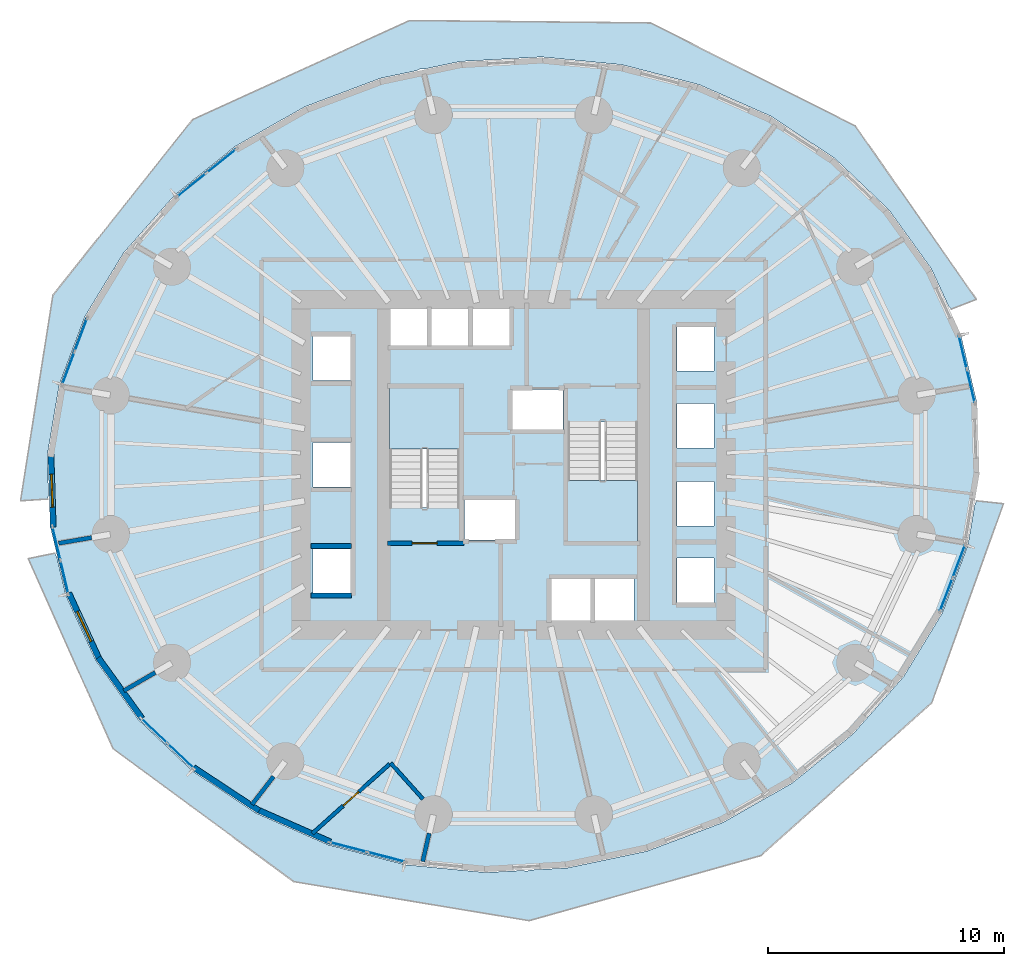
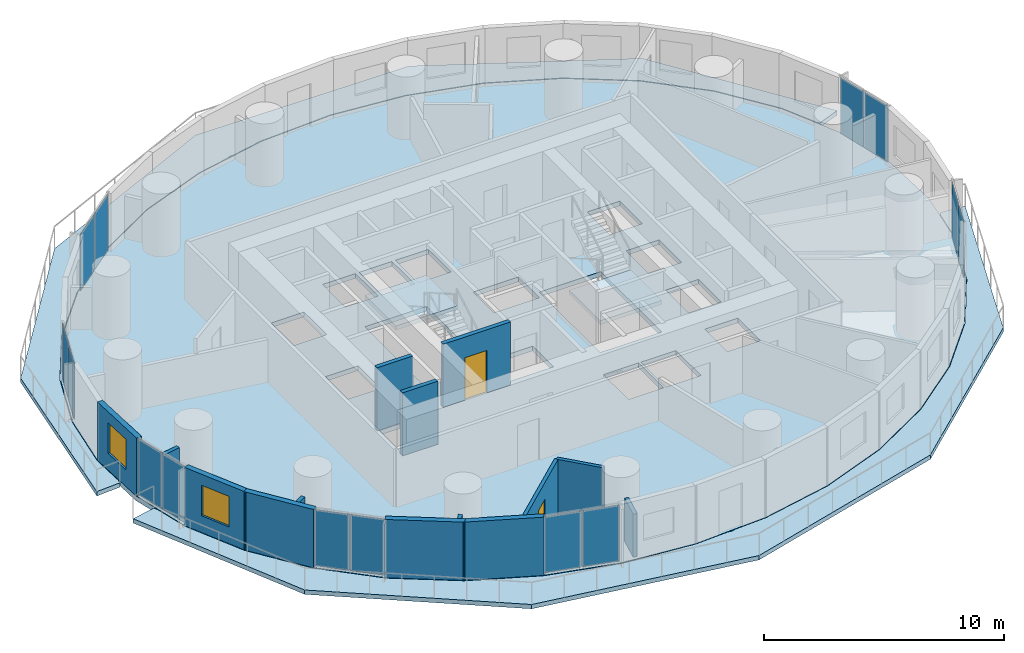
# One storey, part 6 of 14: 14 plates, 14 walls, 5 slabs, 2 doors, 2 windows, 4 openings, 9 elements without a shape of their own.
"""IFC4 building model written with IfcOpenShell, lengths in metres."""

from ifc_helpers import new_model, si_unit, direction, frame, frame_2d, origin, origin_2d, place, context, subcontext, project, spatial, polyline, rectangle, outline, extrude, material, layer, layer_set, type_object, element, fill, aggregate, save


model = new_model("IFC4")

# Units and contexts
model_context = context("Model", 3, precision=1e-05, world=origin(), true_north=direction((0.0, 1.0)))
body_context = subcontext(model_context, "Body", "Model", "MODEL_VIEW")
ifc_project = project(units=[si_unit("LENGTHUNIT", "METRE"), si_unit("AREAUNIT", "SQUARE_METRE"), si_unit("VOLUMEUNIT", "CUBIC_METRE"), si_unit("PLANEANGLEUNIT", "RADIAN"), si_unit("MASSUNIT", "GRAM", prefix="KILO")], contexts=[model_context])

# Site, building, storey
site_placement = place(None, origin())
site = spatial("IfcSite", under=ifc_project, at=site_placement, CompositionType="ELEMENT")
building_placement = place(site_placement, origin())
building = spatial("IfcBuilding", under=site, at=building_placement, Name="Veldorim Arch Residences", CompositionType="ELEMENT")
storey_placement = place(building_placement, frame((0.0, 0.0, 37.60009765625)))
storey = spatial("IfcBuildingStorey", under=building, at=storey_placement, Name="L10", CompositionType="ELEMENT", Elevation=37.60009765625)

# Slabs
ifc_material_1 = material(Name="Concrete C40/50", Category="concrete")
ifc_layer_1 = layer(ifc_material_1, 0.219970703125, Name="Planted Crescent Cantilever Balcony Slab 220")
ifc_layer_set_1 = layer_set([ifc_layer_1], Name="Concrete C40/50")
slab_type_1 = type_object("IfcSlabType", Name="Planted Crescent Cantilever Balcony Slab 220", PredefinedType="FLOOR", material=ifc_layer_set_1)
slab_1_placement = place(storey_placement, frame((0.0, 0.0, -0.22021484375)))
element("IfcSlab", 1, at=slab_1_placement, inside=storey, type_object=slab_type_1, Name="L10 planted crescent balcony slab A", PredefinedType="FLOOR", context=body_context, shape_type="SweptSolid", body=[
    extrude(outline(polyline([(50.406494140625, 30.739013671875), (49.69189453125, 32.292236328125), (47.8857421875, 34.797607421875), (45.596923828125, 36.97509765625), (42.89501953125, 38.7578125), (39.8623046875, 40.09228515625), (36.591064453125, 40.93798828125), (33.180419921875, 41.268798828125), (29.73388671875, 41.075439453125), (28.247802734375, 40.761962890625), (28.050048828125, 40.76171875), (27.86962890625, 40.682373046875), (26.356201171875, 40.36328125), (23.149658203125, 39.154052734375), (20.212158203125, 37.484375), (17.632568359375, 35.405029296875), (15.489501953125, 32.979248046875), (13.84765625, 30.2802734375), (12.7578125, 27.390380859375), (12.252197265625, 24.397216796875), (12.3046875, 22.734619140625), (12.264404296875, 22.548095703125), (11.11669921875, 22.47412109375), (12.486083984375, 31.179931640625), (18.40283203125, 38.614990234375), (27.594970703125, 42.811767578125), (37.791748046875, 42.710205078125), (46.4658203125, 38.35107421875), (51.596435546875, 31.006591796875), (50.525390625, 30.588134765625), (50.406494140625, 30.739013671875)])), origin(), (0.0, 0.0, 1.0), 0.22021484375),
])
slab_2_placement = place(storey_placement, frame((0.0, 0.0, -0.22021484375)))
element("IfcSlab", 2, at=slab_2_placement, inside=storey, type_object=slab_type_1, Name="L10 planted crescent balcony slab B", PredefinedType="FLOOR", context=body_context, shape_type="SweptSolid", body=[
    extrude(outline(polyline([(12.656494140625, 20.08447265625), (13.03955078125, 18.465576171875), (14.30810546875, 15.707763671875), (16.1142578125, 13.202392578125), (18.403076171875, 11.02490234375), (21.10498046875, 9.2421875), (24.1376953125, 7.90771484375), (27.408935546875, 7.06201171875), (30.819580078125, 6.731201171875), (32.364013671875, 6.81787109375), (32.55908203125, 6.7880859375), (32.750244140625, 6.839599609375), (34.26611328125, 6.924560546875), (37.643798828125, 7.63671875), (40.850341796875, 8.845947265625), (43.787841796875, 10.515625), (46.367431640625, 12.594970703125), (48.510498046875, 15.020751953125), (50.15234375, 17.7197265625), (51.2421875, 20.609619140625), (51.527099609375, 22.295654296875), (51.602294921875, 22.471923828125), (52.74560546875, 22.34765625), (49.70849609375, 13.9189453125), (42.4716796875, 7.4482421875), (32.654541015625, 4.6904296875), (22.685791015625, 6.34423828125), (15.03466796875, 11.978759765625), (11.441650390625, 20.02587890625), (12.56884765625, 20.253662109375), (12.656494140625, 20.08447265625)])), origin(), (0.0, 0.0, 1.0), 0.22021484375),
])

# Stair, slab
ifc_material_2 = material(Name="Concrete C40/50", Category="concrete")
stair_type = type_object("IfcStairType", Name="Reinforced Concrete Dogleg Exit Staircase", PredefinedType="HALF_TURN_STAIR", material=ifc_material_2)
stair_1_placement = place(storey_placement, origin())
stair_1 = element("IfcStair", 3, at=stair_1_placement, inside=storey, type_object=stair_type, Name="L10 Exit Staircase ST-1", PredefinedType="HALF_TURN_STAIR")
ifc_material_3 = material(Name="Concrete C40/50", Category="concrete")
ifc_layer_2 = layer(ifc_material_3, 0.199951171875, Name="Reinforced Concrete Stair Landing 200")
ifc_layer_set_2 = layer_set([ifc_layer_2], Name="Concrete C40/50")
slab_type_2 = type_object("IfcSlabType", Name="Reinforced Concrete Stair Landing 200", PredefinedType="LANDING", material=ifc_layer_set_2)
slab_3_placement = place(storey_placement, frame((0.0, 0.0, 1.39990234375)))
slab_3 = element("IfcSlab", 4, at=slab_3_placement, type_object=slab_type_2, Name="ST-1 landing 1", PredefinedType="LANDING", context=body_context, shape_type="SweptSolid", body=[
    extrude(outline(polyline([(29.7099609375, 24.669921875), (29.7099609375, 27.25), (26.75, 27.25), (26.75, 24.669921875), (29.7099609375, 24.669921875)])), origin(), (0.0, 0.0, 1.0), 0.199951171875),
])
aggregate(stair_1, [slab_3])

stair_2_placement = place(storey_placement, origin())
stair_2 = element("IfcStair", 5, at=stair_2_placement, inside=storey, type_object=stair_type, Name="L10 Exit Staircase ST-2", PredefinedType="HALF_TURN_STAIR")
slab_4_placement = place(storey_placement, frame((0.0, 0.0, 1.39990234375)))
slab_4 = element("IfcSlab", 6, at=slab_4_placement, type_object=slab_type_2, Name="ST-2 landing 1", PredefinedType="LANDING", context=body_context, shape_type="SweptSolid", body=[
    extrude(outline(polyline([(34.2900390625, 23.330078125), (34.2900390625, 20.75), (37.25, 20.75), (37.25, 23.330078125), (34.2900390625, 23.330078125)])), origin(), (0.0, 0.0, 1.0), 0.199951171875),
])
aggregate(stair_2, [slab_4])

# Slab
ifc_material_4 = material(Name="Concrete C40/50", Category="concrete")
ifc_layer_3 = layer(ifc_material_4, 0.239990234375, Name="Typical Residential Floor Slab 240")
ifc_layer_set_3 = layer_set([ifc_layer_3], Name="Concrete C40/50")
slab_type_3 = type_object("IfcSlabType", Name="Typical Residential Floor Slab 240", PredefinedType="FLOOR", material=ifc_layer_set_3)
slab_5_placement = place(storey_placement, frame((0.0, 0.0, -0.239990234375)))
element("IfcSlab", 7, at=slab_5_placement, inside=storey, type_object=slab_type_3, Name="L10 tower structural floor slab", PredefinedType="FLOOR", context=body_context, shape_type="SweptSolid", body=[
    extrude(outline(polyline([(51.6279296875, 26.60498046875), (50.936767578125, 29.526123046875), (49.670166015625, 32.279541015625), (47.86669921875, 34.78125), (45.581298828125, 36.955322265625), (42.883056640625, 38.73583984375), (39.854248046875, 40.068603515625), (36.586669921875, 40.9130859375), (33.1796875, 41.243896484375), (29.737060546875, 41.050537109375), (26.363037109375, 40.339111328125), (23.160400390625, 39.13134765625), (20.226318359375, 37.463623046875), (17.64990234375, 35.386962890625), (15.509521484375, 32.96435546875), (13.870361328125, 30.269287109375), (12.781982421875, 27.3837890625), (12.27734375, 24.3955078125), (12.3720703125, 21.39501953125), (13.063232421875, 18.473876953125), (14.329833984375, 15.720458984375), (16.13330078125, 13.21875), (18.418701171875, 11.044677734375), (21.116943359375, 9.26416015625), (24.145751953125, 7.931396484375), (27.413330078125, 7.0869140625), (30.8203125, 6.756103515625), (34.262939453125, 6.949462890625), (37.636962890625, 7.660888671875), (40.839599609375, 8.86865234375), (43.773681640625, 10.536376953125), (46.35009765625, 12.613037109375), (48.490478515625, 15.03564453125), (50.129638671875, 17.730712890625), (51.218017578125, 20.6162109375), (51.72265625, 23.6044921875), (51.6279296875, 26.60498046875)]), holes=[polyline([(23.510009765625, 20.43994140625), (25.090087890625, 20.43994140625), (25.090087890625, 18.56005859375), (23.510009765625, 18.56005859375), (23.510009765625, 20.43994140625)]), polyline([(29.909912109375, 22.544921875), (32.090087890625, 22.544921875), (32.090087890625, 20.81494140625), (29.909912109375, 20.81494140625), (29.909912109375, 22.544921875)]), polyline([(23.510009765625, 24.93994140625), (25.090087890625, 24.93994140625), (25.090087890625, 23.06005859375), (23.510009765625, 23.06005859375), (23.510009765625, 24.93994140625)]), polyline([(26.75, 27.25), (29.7099609375, 27.25), (29.7099609375, 22.195068359375), (26.75, 22.195068359375), (26.75, 27.25)]), polyline([(23.510009765625, 29.43994140625), (25.090087890625, 29.43994140625), (25.090087890625, 27.56005859375), (23.510009765625, 27.56005859375), (23.510009765625, 29.43994140625)]), polyline([(26.760009765625, 30.7900390625), (28.340087890625, 30.7900390625), (28.340087890625, 28.909912109375), (26.760009765625, 28.909912109375), (26.760009765625, 30.7900390625)]), polyline([(28.510009765625, 30.7900390625), (30.090087890625, 30.7900390625), (30.090087890625, 28.909912109375), (28.510009765625, 28.909912109375), (28.510009765625, 30.7900390625)]), polyline([(30.260009765625, 30.7900390625), (31.840087890625, 30.7900390625), (31.840087890625, 28.909912109375), (30.260009765625, 28.909912109375), (30.260009765625, 30.7900390625)]), polyline([(33.610107421875, 19.2900390625), (35.2900390625, 19.2900390625), (35.2900390625, 17.2099609375), (33.610107421875, 17.2099609375), (33.610107421875, 19.2900390625)]), polyline([(35.409912109375, 19.2900390625), (37.090087890625, 19.2900390625), (37.090087890625, 17.2099609375), (35.409912109375, 17.2099609375), (35.409912109375, 19.2900390625)]), polyline([(38.909912109375, 20.0400390625), (40.489990234375, 20.0400390625), (40.489990234375, 18.159912109375), (38.909912109375, 18.159912109375), (38.909912109375, 20.0400390625)]), polyline([(38.909912109375, 23.2900390625), (40.489990234375, 23.2900390625), (40.489990234375, 21.409912109375), (38.909912109375, 21.409912109375), (38.909912109375, 23.2900390625)]), polyline([(34.2900390625, 25.804931640625), (37.25, 25.804931640625), (37.25, 20.75), (34.2900390625, 20.75), (34.2900390625, 25.804931640625)]), polyline([(38.909912109375, 26.590087890625), (40.489990234375, 26.590087890625), (40.489990234375, 24.7099609375), (38.909912109375, 24.7099609375), (38.909912109375, 26.590087890625)]), polyline([(31.909912109375, 27.18505859375), (34.090087890625, 27.18505859375), (34.090087890625, 25.455078125), (31.909912109375, 25.455078125), (31.909912109375, 27.18505859375)]), polyline([(38.909912109375, 29.840087890625), (40.489990234375, 29.840087890625), (40.489990234375, 27.9599609375), (38.909912109375, 27.9599609375), (38.909912109375, 29.840087890625)])]), origin(), (0.0, 0.0, 1.0), 0.239990234375),
])

# Curtain wall, plates
ifc_material_5 = material(Name="Aluminium", Category="aluminium")
curtain_wall_type = type_object("IfcCurtainWallType", Name="Zone 1 Acoustic Low-E Unitised Curtain Wall", PredefinedType="NOTDEFINED", material=ifc_material_5)
curtain_wall_1_placement = place(storey_placement, origin())
curtain_wall_1 = element("IfcCurtainWall", 8, at=curtain_wall_1_placement, inside=storey, type_object=curtain_wall_type, Name="L10 unitised curtain wall bay 01", PredefinedType="NOTDEFINED")
ifc_material_6 = material(Name="Laminated Low-E Glass", Category="glass")
ifc_layer_4 = layer(ifc_material_6, 0.02587890625, Name="Zone 1 Acoustic Low-E Unitised Curtain Wall Glazing Panel 26")
ifc_layer_set_4 = layer_set([ifc_layer_4], Name="Laminated Low-E Glass")
plate_type = type_object("IfcPlateType", Name="Zone 1 Acoustic Low-E Unitised Curtain Wall Glazing Panel 26", PredefinedType="CURTAIN_PANEL", material=ifc_layer_set_4)
plate_1_placement = place(storey_placement, frame((51.025634765625, 28.75927734375, 0.06494140625), z_axis=(0.0, 0.0, 1.0), x_axis=(0.230257196808, -0.973129808051, 0.0)))
plate_1 = element("IfcPlate", 9, at=plate_1_placement, type_object=plate_type, Name="CW-Z1 panel 1.1", PredefinedType="CURTAIN_PANEL", context=body_context, shape_type="SweptSolid", body=[
    extrude(rectangle(XDim=1.4033203125, YDim=0.02587890625, at=origin_2d()), origin(), (0.0, 0.0, 1.0), 2.830078125),
])
plate_2_placement = place(storey_placement, frame((51.36376953125, 27.330322265625, 0.06494140625), z_axis=(0.0, 0.0, 1.0), x_axis=(0.230257196808, -0.973129808051, 0.0)))
plate_2 = element("IfcPlate", 10, at=plate_2_placement, type_object=plate_type, Name="CW-Z1 panel 2.1", PredefinedType="CURTAIN_PANEL", context=body_context, shape_type="SweptSolid", body=[
    extrude(rectangle(XDim=1.4033203125, YDim=0.02587890625, at=origin_2d()), origin(), (0.0, 0.0, 1.0), 2.830078125),
])
aggregate(curtain_wall_1, [plate_1, plate_2])

curtain_wall_2_placement = place(storey_placement, origin())
curtain_wall_2 = element("IfcCurtainWall", 11, at=curtain_wall_2_placement, inside=storey, type_object=curtain_wall_type, Name="L10 unitised curtain wall bay 13", PredefinedType="NOTDEFINED")
plate_3_placement = place(storey_placement, frame((18.363037109375, 35.84619140625, 0.06494140625), z_axis=(0.0, 0.0, 1.0), x_axis=(0.77856687477, 0.627561647578, 0.0)))
plate_3 = element("IfcPlate", 12, at=plate_3_placement, type_object=plate_type, Name="CW-Z1 panel 1.1", PredefinedType="CURTAIN_PANEL", context=body_context, shape_type="SweptSolid", body=[
    extrude(rectangle(XDim=1.55712890625, YDim=0.02587890625, at=origin_2d()), origin(), (0.0, 0.0, 1.0), 2.830078125),
])
plate_4_placement = place(storey_placement, frame((19.6259765625, 36.8642578125, 0.06494140625), z_axis=(0.0, 0.0, 1.0), x_axis=(0.77856687477, 0.627561647578, 0.0)))
plate_4 = element("IfcPlate", 13, at=plate_4_placement, type_object=plate_type, Name="CW-Z1 panel 2.1", PredefinedType="CURTAIN_PANEL", context=body_context, shape_type="SweptSolid", body=[
    extrude(rectangle(XDim=1.55712890625, YDim=0.02587890625, at=origin_2d()), origin(), (0.0, 0.0, 1.0), 2.830078125),
])
aggregate(curtain_wall_2, [plate_3, plate_4])

curtain_wall_3_placement = place(storey_placement, origin())
curtain_wall_3 = element("IfcCurtainWall", 14, at=curtain_wall_3_placement, inside=storey, type_object=curtain_wall_type, Name="L10 unitised curtain wall bay 16", PredefinedType="NOTDEFINED")
plate_5_placement = place(storey_placement, frame((13.14404296875, 28.088623046875, 0.06494140625), z_axis=(0.0, 0.0, 1.0), x_axis=(0.352913725454, 0.9356558675, 0.0)))
plate_5 = element("IfcPlate", 15, at=plate_5_placement, type_object=plate_type, Name="CW-Z1 panel 1.1", PredefinedType="CURTAIN_PANEL", context=body_context, shape_type="SweptSolid", body=[
    extrude(rectangle(XDim=1.444580078125, YDim=0.02587890625, at=origin_2d()), origin(), (0.0, 0.0, 1.0), 2.830078125),
])
plate_6_placement = place(storey_placement, frame((13.6767578125, 29.5009765625, 0.06494140625), z_axis=(0.0, 0.0, 1.0), x_axis=(0.352913725454, 0.9356558675, 0.0)))
plate_6 = element("IfcPlate", 16, at=plate_6_placement, type_object=plate_type, Name="CW-Z1 panel 2.1", PredefinedType="CURTAIN_PANEL", context=body_context, shape_type="SweptSolid", body=[
    extrude(rectangle(XDim=1.444580078125, YDim=0.02587890625, at=origin_2d()), origin(), (0.0, 0.0, 1.0), 2.830078125),
])
aggregate(curtain_wall_3, [plate_5, plate_6])

curtain_wall_4_placement = place(storey_placement, origin())
curtain_wall_4 = element("IfcCurtainWall", 17, at=curtain_wall_4_placement, inside=storey, type_object=curtain_wall_type, Name="L10 unitised curtain wall bay 19", PredefinedType="NOTDEFINED")
plate_7_placement = place(storey_placement, frame((12.974365234375, 19.24072265625, 0.06494140625), z_axis=(0.0, 0.0, 1.0), x_axis=(-0.230257196808, 0.973129808051, 0.0)))
plate_7 = element("IfcPlate", 18, at=plate_7_placement, type_object=plate_type, Name="CW-Z1 panel 1.1", PredefinedType="CURTAIN_PANEL", context=body_context, shape_type="SweptSolid", body=[
    extrude(rectangle(XDim=1.4033203125, YDim=0.02587890625, at=origin_2d()), origin(), (0.0, 0.0, 1.0), 2.830078125),
])
plate_8_placement = place(storey_placement, frame((12.63623046875, 20.669677734375, 0.06494140625), z_axis=(0.0, 0.0, 1.0), x_axis=(-0.230257196808, 0.973129808051, 0.0)))
plate_8 = element("IfcPlate", 19, at=plate_8_placement, type_object=plate_type, Name="CW-Z1 panel 2.1", PredefinedType="CURTAIN_PANEL", context=body_context, shape_type="SweptSolid", body=[
    extrude(rectangle(XDim=1.4033203125, YDim=0.02587890625, at=origin_2d()), origin(), (0.0, 0.0, 1.0), 2.830078125),
])
aggregate(curtain_wall_4, [plate_7, plate_8])

curtain_wall_5_placement = place(storey_placement, origin())
curtain_wall_5 = element("IfcCurtainWall", 20, at=curtain_wall_5_placement, inside=storey, type_object=curtain_wall_type, Name="L10 unitised curtain wall bay 22", PredefinedType="NOTDEFINED")
plate_9_placement = place(storey_placement, frame((17.8974609375, 11.66455078125, 0.06494140625), z_axis=(0.0, 0.0, 1.0), x_axis=(-0.724528330111, 0.689245020922, 0.0)))
plate_9 = element("IfcPlate", 21, at=plate_9_placement, type_object=plate_type, Name="CW-Z1 panel 1.1", PredefinedType="CURTAIN_PANEL", context=body_context, shape_type="SweptSolid", body=[
    extrude(rectangle(XDim=1.479736328125, YDim=0.02587890625, at=origin_2d()), origin(), (0.0, 0.0, 1.0), 2.830078125),
])
plate_10_placement = place(storey_placement, frame((16.7783203125, 12.729248046875, 0.06494140625), z_axis=(0.0, 0.0, 1.0), x_axis=(-0.724528330111, 0.689245020922, 0.0)))
plate_10 = element("IfcPlate", 22, at=plate_10_placement, type_object=plate_type, Name="CW-Z1 panel 2.1", PredefinedType="CURTAIN_PANEL", context=body_context, shape_type="SweptSolid", body=[
    extrude(rectangle(XDim=1.479736328125, YDim=0.02587890625, at=origin_2d()), origin(), (0.0, 0.0, 1.0), 2.830078125),
])
aggregate(curtain_wall_5, [plate_9, plate_10])

curtain_wall_6_placement = place(storey_placement, origin())
curtain_wall_6 = element("IfcCurtainWall", 23, at=curtain_wall_6_placement, inside=storey, type_object=curtain_wall_type, Name="L10 unitised curtain wall bay 25", PredefinedType="NOTDEFINED")
plate_11_placement = place(storey_placement, frame((26.603271484375, 7.38916015625, 0.06494140625), z_axis=(0.0, 0.0, 1.0), x_axis=(-0.968178730436, 0.250259756916, 0.0)))
plate_11 = element("IfcPlate", 24, at=plate_11_placement, type_object=plate_type, Name="CW-Z1 panel 1.1", PredefinedType="CURTAIN_PANEL", context=body_context, shape_type="SweptSolid", body=[
    extrude(rectangle(XDim=1.58984375, YDim=0.02587890625, at=origin_2d()), origin(), (0.0, 0.0, 1.0), 2.830078125),
])
plate_12_placement = place(storey_placement, frame((25.0009765625, 7.80322265625, 0.06494140625), z_axis=(0.0, 0.0, 1.0), x_axis=(-0.968178730436, 0.250259756916, 0.0)))
plate_12 = element("IfcPlate", 25, at=plate_12_placement, type_object=plate_type, Name="CW-Z1 panel 2.1", PredefinedType="CURTAIN_PANEL", context=body_context, shape_type="SweptSolid", body=[
    extrude(rectangle(XDim=1.58984375, YDim=0.02587890625, at=origin_2d()), origin(), (0.0, 0.0, 1.0), 2.830078125),
])
aggregate(curtain_wall_6, [plate_11, plate_12])

curtain_wall_7_placement = place(storey_placement, origin())
curtain_wall_7 = element("IfcCurtainWall", 26, at=curtain_wall_7_placement, inside=storey, type_object=curtain_wall_type, Name="L10 unitised curtain wall bay 34", PredefinedType="NOTDEFINED")
plate_13_placement = place(storey_placement, frame((50.85595703125, 19.911376953125, 0.06494140625), z_axis=(0.0, 0.0, 1.0), x_axis=(-0.352913725454, -0.9356558675, 0.0)))
plate_13 = element("IfcPlate", 27, at=plate_13_placement, type_object=plate_type, Name="CW-Z1 panel 1.1", PredefinedType="CURTAIN_PANEL", context=body_context, shape_type="SweptSolid", body=[
    extrude(rectangle(XDim=1.444580078125, YDim=0.02587890625, at=origin_2d()), origin(), (0.0, 0.0, 1.0), 2.830078125),
])
plate_14_placement = place(storey_placement, frame((50.3232421875, 18.4990234375, 0.06494140625), z_axis=(0.0, 0.0, 1.0), x_axis=(-0.352913725454, -0.9356558675, 0.0)))
plate_14 = element("IfcPlate", 28, at=plate_14_placement, type_object=plate_type, Name="CW-Z1 panel 2.1", PredefinedType="CURTAIN_PANEL", context=body_context, shape_type="SweptSolid", body=[
    extrude(rectangle(XDim=1.444580078125, YDim=0.02587890625, at=origin_2d()), origin(), (0.0, 0.0, 1.0), 2.830078125),
])
aggregate(curtain_wall_7, [plate_13, plate_14])

# Walls
ifc_material_7 = material(Name="Lightweight Masonry Block & Gypsum", Category="masonry")
ifc_layer_5 = layer(ifc_material_7, 0.179931640625, Name="Compartment & Corridor Fire-Rated Party Wall 180")
ifc_layer_set_5 = layer_set([ifc_layer_5], Name="Lightweight Masonry Block & Gypsum")
wall_type_1 = type_object("IfcWallType", Name="Compartment & Corridor Fire-Rated Party Wall 180", PredefinedType="PARTITIONING", material=ifc_layer_set_5)
wall_1_placement = place(storey_placement, frame((14.126220703125, 20.91455078125, 0.0), z_axis=(0.0, 0.0, 1.0), x_axis=(-0.985419363098, -0.170143112797, 0.0)))
element("IfcWall", 29, at=wall_1_placement, inside=storey, type_object=wall_type_1, Name="L10 interior wall WL-PIER-L10-09", PredefinedType="PARTITIONING", context=body_context, shape_type="SweptSolid", body=[
    extrude(rectangle(XDim=1.419189453125, YDim=0.179931640625, at=frame_2d((0.70947265625, 0.0))), origin(), (0.0, 0.0, 1.0), 2.17822265625),
])
wall_2_placement = place(storey_placement, frame((16.822998046875, 15.19970703125, 0.0), z_axis=(0.0, 0.0, 1.0), x_axis=(-0.865036673907, -0.501708633369, 0.0)))
element("IfcWall", 30, at=wall_2_placement, inside=storey, type_object=wall_type_1, Name="L10 interior wall WL-PIER-L10-10", PredefinedType="PARTITIONING", context=body_context, shape_type="SweptSolid", body=[
    extrude(rectangle(XDim=1.54541015625, YDim=0.179931640625, at=frame_2d((0.772705078125, 0.0))), origin(), (0.0, 0.0, 1.0), 2.17822265625),
])
wall_3_placement = place(storey_placement, frame((21.832763671875, 10.795166015625, 0.0), z_axis=(0.0, 0.0, 1.0), x_axis=(-0.609978856004, -0.792417689876, 0.0)))
element("IfcWall", 31, at=wall_3_placement, inside=storey, type_object=wall_type_1, Name="L10 interior wall WL-PIER-L10-11", PredefinedType="PARTITIONING", context=body_context, shape_type="SweptSolid", body=[
    extrude(rectangle(XDim=1.49609375, YDim=0.179931640625, at=frame_2d((0.748046875, 0.0))), origin(), (0.0, 0.0, 1.0), 2.17822265625),
])
wall_4_placement = place(storey_placement, frame((28.422119140625, 8.390869140625, 0.0), z_axis=(0.0, 0.0, 1.0), x_axis=(-0.223317008343, -0.974745871386, 0.0)))
element("IfcWall", 32, at=wall_4_placement, inside=storey, type_object=wall_type_1, Name="L10 interior wall WL-PIER-L10-12", PredefinedType="PARTITIONING", context=body_context, shape_type="SweptSolid", body=[
    extrude(rectangle(XDim=1.2255859375, YDim=0.179931640625, at=frame_2d((0.61279296875, 0.0))), origin(), (0.0, 0.0, 1.0), 2.17822265625),
])

# Wall, opening, door
ifc_material_8 = material(Name="Concrete C50/60", Category="concrete")
ifc_layer_6 = layer(ifc_material_8, 0.199951171875, Name="Core Stair & Lift Shaft Enclosure Wall 200")
ifc_layer_set_6 = layer_set([ifc_layer_6], Name="Concrete C50/60")
wall_type_2 = type_object("IfcWallType", Name="Core Stair & Lift Shaft Enclosure Wall 200", PredefinedType="SHEAR", material=ifc_layer_set_6)
wall_5_placement = place(storey_placement, frame((26.64990234375, 20.669921875, 0.0), z_axis=(0.0, 0.0, 1.0), x_axis=(1.0, 0.0, 0.0)))
wall_5 = element("IfcWall", 33, at=wall_5_placement, inside=storey, type_object=wall_type_2, Name="L10 shaft wall WL-SHF-L10-ST1-S", PredefinedType="SHEAR", context=body_context, shape_type="SweptSolid", body=[
    extrude(rectangle(XDim=3.239990234375, YDim=0.199951171875, at=frame_2d((1.6201171875, 0.0))), origin(), (0.0, 0.0, 1.0), 3.199951171875),
])
opening_1_placement = place(wall_5_placement, frame((1.054931640625, 0.0, 0.0)))
opening_1 = element("IfcOpeningElement", 34, at=opening_1_placement, cuts=wall_5, Name="Opening DR-ST", PredefinedType="OPENING", context=body_context, shape_type="SweptSolid", body=[
    extrude(rectangle(XDim=1.050048828125, YDim=2.14990234375, at=frame_2d((0.52490234375, 1.074951171875))), frame((0.0, 0.10986328125, 0.0), z_axis=(0.0, -1.0, 0.0), x_axis=(1.0, 0.0, 0.0)), (0.0, 0.0, 1.0), 0.219970703125),
])
ifc_material_9 = material(Name="Fire-Rated Steel", Category="steel")
door_type_1 = type_object("IfcDoorType", Name="Exit Staircase Self-Closing Fire Door 1050x2150", OperationType="SINGLE_SWING_LEFT", PredefinedType="DOOR", material=ifc_material_9)
door_1_placement = place(opening_1_placement, origin())
door_1 = element("IfcDoor", 35, at=door_1_placement, inside=storey, type_object=door_type_1, Name="L10 interior door DR-L10-ST1", OperationType="SINGLE_SWING_LEFT", OverallHeight=2.14990234375, OverallWidth=1.050048828125, PredefinedType="DOOR", context=body_context, shape_type="SweptSolid", body=[
    extrude(rectangle(XDim=1.050048828125, YDim=2.14990234375, at=frame_2d((0.52490234375, 1.074951171875))), frame((0.0, 0.02490234375, 0.0), z_axis=(0.0, -1.0, 0.0), x_axis=(1.0, 0.0, 0.0)), (0.0, 0.0, 1.0), 0.050048828125),
])
fill(opening_1, door_1)

# Walls
for number, where, z_axis, x_axis, name in (
    (36, (23.419921875, 18.4599609375, 0.0), (0.0, 0.0, 1.0), (1.0, 0.0, 0.0), "L10 shaft wall WL-B2-L10-S"),
    (37, (23.419921875, 20.56005859375, 0.0), (0.0, 0.0, 1.0), (1.0, 0.0, 0.0), "L10 shaft wall WL-B2-L10-D1A"),
):
    element("IfcWall", number, at=place(storey_placement, frame(where, z_axis=z_axis, x_axis=x_axis)), inside=storey, type_object=wall_type_2, Name=name, PredefinedType="SHEAR", context=body_context, shape_type="SweptSolid", body=[
        extrude(rectangle(XDim=1.7099609375, YDim=0.199951171875, at=frame_2d((0.85498046875, 0.0))), origin(), (0.0, 0.0, 1.0), 3.199951171875),
    ])

# Wall, opening, window
ifc_material_10 = material(Name="Precast concrete C40/50", Category="concrete")
ifc_layer_7 = layer(ifc_material_10, 0.25, Name="Tower Terracotta Spandrel & Pier Wall 250")
ifc_layer_set_7 = layer_set([ifc_layer_7], Name="Precast concrete C40/50")
wall_type_3 = type_object("IfcWallType", Name="Tower Terracotta Spandrel & Pier Wall 250", PredefinedType="SOLIDWALL", material=ifc_layer_set_7)
wall_6_placement = place(storey_placement, frame((12.49853515625, 21.35400390625, 0.0), z_axis=(0.0, 0.0, 1.0), x_axis=(-0.031584802517, 0.999501075662, 0.0)))
wall_6 = element("IfcWall", 38, at=wall_6_placement, inside=storey, type_object=wall_type_3, Name="L10 terracotta facade wall 18", PredefinedType="SOLIDWALL", context=body_context, shape_type="SweptSolid", body=[
    extrude(rectangle(XDim=3.091796875, YDim=0.25, at=frame_2d((1.5458984375, 0.0))), origin(), (0.0, 0.0, 1.0), 2.9599609375),
])
opening_2_placement = place(wall_6_placement, frame((0.845947265625, 0.0, 0.85009765625)))
opening_2 = element("IfcOpeningElement", 39, at=opening_2_placement, cuts=wall_6, Name="Opening WN-02", PredefinedType="OPENING", context=body_context, shape_type="SweptSolid", body=[
    extrude(rectangle(XDim=1.39990234375, YDim=1.550048828125, at=frame_2d((0.699951171875, 0.77490234375))), frame((0.0, 0.135009765625, 0.0), z_axis=(0.0, -1.0, 0.0), x_axis=(1.0, 0.0, 0.0)), (0.0, 0.0, 1.0), 0.27001953125),
])
ifc_material_11 = material(Name="Laminated Low-E Glass", Category="glass")
window_type = type_object("IfcWindowType", Name="Residential Casement Window 1400x1550", PartitioningType="SINGLE_PANEL", PredefinedType="WINDOW", material=ifc_material_11)
window_1_placement = place(opening_2_placement, origin())
window_1 = element("IfcWindow", 40, at=window_1_placement, inside=storey, type_object=window_type, Name="L10 solar-control facade window 18", OverallHeight=1.550048828125, OverallWidth=1.39990234375, PartitioningType="SINGLE_PANEL", PredefinedType="WINDOW", context=body_context, shape_type="SweptSolid", body=[
    extrude(rectangle(XDim=1.39990234375, YDim=1.550048828125, at=frame_2d((0.699951171875, 0.77490234375))), frame((0.0, 0.030029296875, 0.0), z_axis=(0.0, -1.0, 0.0), x_axis=(1.0, 0.0, 0.0)), (0.0, 0.0, 1.0), 0.06005859375),
])
fill(opening_2, window_1)

wall_7_placement = place(storey_placement, frame((14.462158203125, 15.73193359375, 0.0), z_axis=(0.0, 0.0, 1.0), x_axis=(-0.417872029175, 0.908505898293, 0.0)))
wall_7 = element("IfcWall", 41, at=wall_7_placement, inside=storey, type_object=wall_type_3, Name="L10 terracotta facade wall 20", PredefinedType="SOLIDWALL", context=body_context, shape_type="SweptSolid", body=[
    extrude(rectangle(XDim=3.120361328125, YDim=0.25, at=frame_2d((1.56005859375, 0.0))), origin(), (0.0, 0.0, 1.0), 2.9599609375),
])
opening_3_placement = place(wall_7_placement, frame((0.860107421875, 0.0, 0.85009765625)))
opening_3 = element("IfcOpeningElement", 42, at=opening_3_placement, cuts=wall_7, Name="Opening WN-02", PredefinedType="OPENING", context=body_context, shape_type="SweptSolid", body=[
    extrude(rectangle(XDim=1.39990234375, YDim=1.550048828125, at=frame_2d((0.699951171875, 0.77490234375))), frame((0.0, 0.135009765625, 0.0), z_axis=(0.0, -1.0, 0.0), x_axis=(1.0, 0.0, 0.0)), (0.0, 0.0, 1.0), 0.27001953125),
])
window_2_placement = place(opening_3_placement, origin())
window_2 = element("IfcWindow", 43, at=window_2_placement, inside=storey, type_object=window_type, Name="L10 solar-control facade window 20", OverallHeight=1.550048828125, OverallWidth=1.39990234375, PartitioningType="SINGLE_PANEL", PredefinedType="WINDOW", context=body_context, shape_type="SweptSolid", body=[
    extrude(rectangle(XDim=1.39990234375, YDim=1.550048828125, at=frame_2d((0.699951171875, 0.77490234375))), frame((0.0, 0.030029296875, 0.0), z_axis=(0.0, -1.0, 0.0), x_axis=(1.0, 0.0, 0.0)), (0.0, 0.0, 1.0), 0.06005859375),
])
fill(opening_3, window_2)

# Walls
wall_8_placement = place(storey_placement, frame((16.260986328125, 13.25537109375, 0.0), z_axis=(0.0, 0.0, 1.0), x_axis=(-0.584805106467, 0.811173833066, 0.0)))
element("IfcWall", 44, at=wall_8_placement, inside=storey, type_object=wall_type_3, Name="L10 terracotta facade wall 21", PredefinedType="SOLIDWALL", context=body_context, shape_type="SweptSolid", body=[
    extrude(rectangle(XDim=3.174072265625, YDim=0.25, at=frame_2d((1.5869140625, 0.0))), origin(), (0.0, 0.0, 1.0), 2.9599609375),
])
wall_9_placement = place(storey_placement, frame((21.223388671875, 9.343505859375, 0.0), z_axis=(0.0, 0.0, 1.0), x_axis=(-0.834663448541, 0.550760317805, 0.0)))
element("IfcWall", 45, at=wall_9_placement, inside=storey, type_object=wall_type_3, Name="L10 terracotta facade wall 23", PredefinedType="SOLIDWALL", context=body_context, shape_type="SweptSolid", body=[
    extrude(rectangle(XDim=3.32275390625, YDim=0.25, at=frame_2d((1.661376953125, 0.0))), origin(), (0.0, 0.0, 1.0), 2.9599609375),
])
wall_10_placement = place(storey_placement, frame((24.2373046875, 8.027587890625, 0.0), z_axis=(0.0, 0.0, 1.0), x_axis=(-0.915312914138, 0.402743428515, 0.0)))
element("IfcWall", 46, at=wall_10_placement, inside=storey, type_object=wall_type_3, Name="L10 terracotta facade wall 24", PredefinedType="SOLIDWALL", context=body_context, shape_type="SweptSolid", body=[
    extrude(rectangle(XDim=3.39892578125, YDim=0.25, at=frame_2d((1.699462890625, 0.0))), origin(), (0.0, 0.0, 1.0), 2.9599609375),
])
ifc_material_12 = material(Name="Moisture-Resistant Gypsum & Stud", Category="gypsum")
ifc_layer_8 = layer(ifc_material_12, 0.159912109375, Name="Wet-Area Moisture-Resistant Plumbing Wall 160")
ifc_layer_set_8 = layer_set([ifc_layer_8], Name="Moisture-Resistant Gypsum & Stud")
wall_type_4 = type_object("IfcWallType", Name="Wet-Area Moisture-Resistant Plumbing Wall 160", PredefinedType="PLUMBINGWALL", material=ifc_layer_set_8)
wall_11_placement = place(storey_placement, frame((28.164306640625, 9.83740234375, 0.0), z_axis=(0.0, 0.0, 1.0), x_axis=(-0.668451915184, 0.743755361048, 0.0)))
element("IfcWall", 47, at=wall_11_placement, inside=storey, type_object=wall_type_4, Name="L10 interior wall WL-RES-L10-021", PredefinedType="PLUMBINGWALL", context=body_context, shape_type="SweptSolid", body=[
    extrude(rectangle(XDim=2.05224609375, YDim=0.159912109375, at=frame_2d((1.026123046875, 0.0))), origin(), (0.0, 0.0, 1.0), 2.954833984375),
])

# Wall, opening, door
wall_12_placement = place(storey_placement, frame((26.747802734375, 11.32373046875, 0.0), z_axis=(0.0, 0.0, 1.0), x_axis=(-0.743726854299, -0.668483631957, 0.0)))
wall_12 = element("IfcWall", 48, at=wall_12_placement, inside=storey, type_object=wall_type_4, Name="L10 interior wall WL-RES-L10-022", PredefinedType="PLUMBINGWALL", context=body_context, shape_type="SweptSolid", body=[
    extrude(rectangle(XDim=4.403076171875, YDim=0.159912109375, at=frame_2d((2.20166015625, 0.0))), origin(), (0.0, 0.0, 1.0), 2.954833984375),
])
opening_4_placement = place(wall_12_placement, frame((1.75146484375, 0.0, 0.0)))
opening_4 = element("IfcOpeningElement", 49, at=opening_4_placement, cuts=wall_12, Name="Opening DR-WC", PredefinedType="OPENING", context=body_context, shape_type="SweptSolid", body=[
    extrude(rectangle(XDim=0.89990234375, YDim=2.10009765625, at=frame_2d((0.449951171875, 1.050048828125))), frame((0.0, 0.08984375, 0.0), z_axis=(0.0, -1.0, 0.0), x_axis=(1.0, 0.0, 0.0)), (0.0, 0.0, 1.0), 0.179931640625),
])
ifc_material_13 = material(Name="Laminate Timber", Category="wood")
door_type_2 = type_object("IfcDoorType", Name="Bathroom & Accessible WC Moisture-Sealed Door 900x2100", OperationType="SINGLE_SWING_LEFT", PredefinedType="DOOR", material=ifc_material_13)
door_2_placement = place(opening_4_placement, origin())
door_2 = element("IfcDoor", 50, at=door_2_placement, inside=storey, type_object=door_type_2, Name="L10 interior door DR-RES-L10-015", OperationType="SINGLE_SWING_LEFT", OverallHeight=2.10009765625, OverallWidth=0.89990234375, PredefinedType="DOOR", context=body_context, shape_type="SweptSolid", body=[
    extrude(rectangle(XDim=0.89990234375, YDim=2.10009765625, at=frame_2d((0.449951171875, 1.050048828125))), frame((0.0, 0.02490234375, 0.0), z_axis=(0.0, -1.0, 0.0), x_axis=(1.0, 0.0, 0.0)), (0.0, 0.0, 1.0), 0.050048828125),
])
fill(opening_4, door_2)

save(model, "model.ifc")
